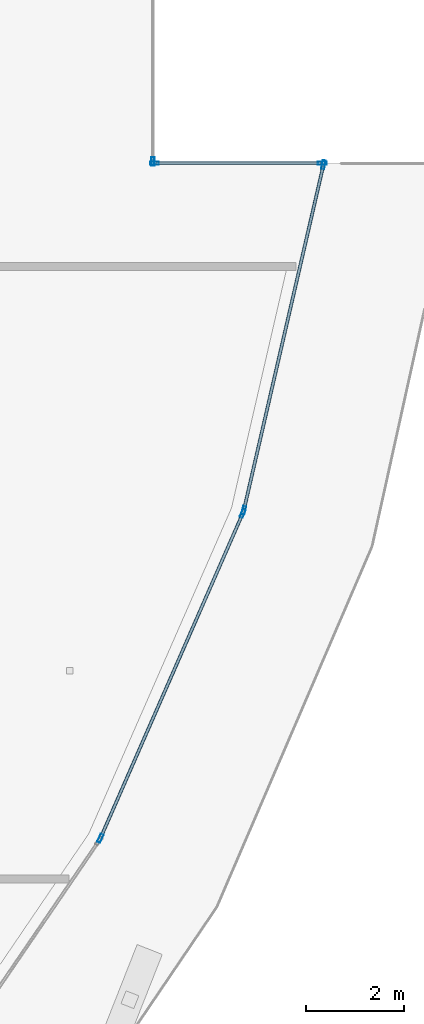
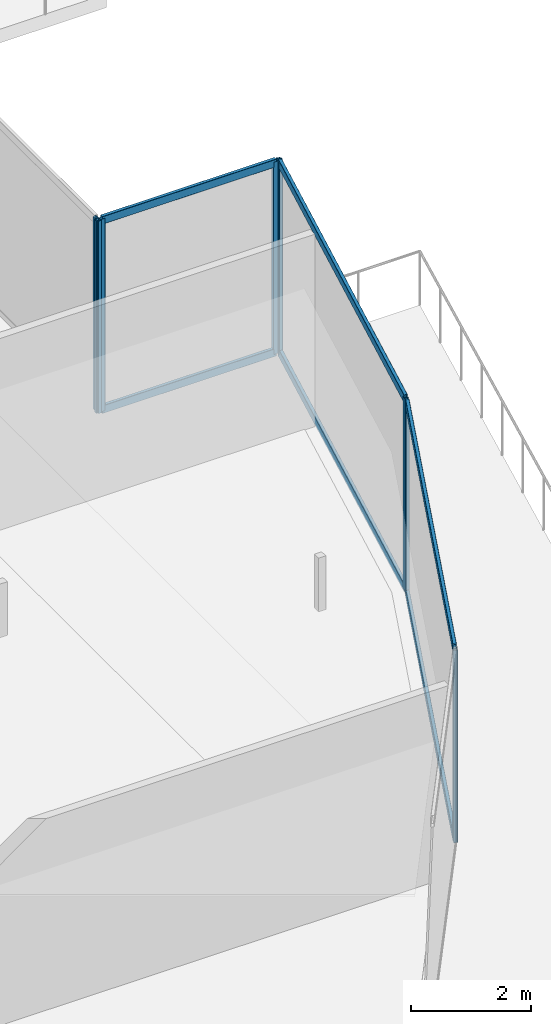
# One storey, part 24 of 45: 13 members, 4 elements without a shape of their own.
"""IFC4 building model written with IfcOpenShell, lengths in metres."""

from ifc_helpers import new_model, si_unit, direction, frame, origin, origin_2d, place, context, subcontext, project, spatial, hollow_rectangle, extrude, material, layer, layer_set, material_profile, profile_set, type_object, element, aggregate, save


model = new_model("IFC4")

# Units and contexts
model_context = context("Model", 3, precision=1e-05, world=origin(), true_north=direction((0.0, 1.0)))
body_context = subcontext(model_context, "Body", "Model", "MODEL_VIEW")
ifc_project = project(units=[si_unit("LENGTHUNIT", "METRE"), si_unit("AREAUNIT", "SQUARE_METRE"), si_unit("VOLUMEUNIT", "CUBIC_METRE"), si_unit("PLANEANGLEUNIT", "RADIAN"), si_unit("MASSUNIT", "GRAM", prefix="KILO")], contexts=[model_context])

# Site, building, storey
site_placement = place(None, origin())
site = spatial("IfcSite", under=ifc_project, at=site_placement, CompositionType="ELEMENT")
building_placement = place(site_placement, origin())
building = spatial("IfcBuilding", under=site, at=building_placement, Name="Qorvath Tower", CompositionType="ELEMENT")
storey_placement = place(building_placement, frame((0.0, 0.0, 66.0)))
storey = spatial("IfcBuildingStorey", under=building, at=storey_placement, Name="L14", CompositionType="ELEMENT", Elevation=66.0)

# Curtain wall, members
ifc_material_1 = material(Name="Anodised aluminium and triple low-E glass", Category="aluminium")
ifc_layer = layer(ifc_material_1, 0.179931640625)
ifc_layer_set = layer_set([ifc_layer], Name="CW-SYS-2")
curtain_wall_type = type_object("IfcCurtainWallType", Name="CW-SYS-2", PredefinedType="NOTDEFINED", material=ifc_layer_set)
curtain_wall_1_placement = place(storey_placement, origin())
curtain_wall_1 = element("IfcCurtainWall", 1, at=curtain_wall_1_placement, inside=storey, type_object=curtain_wall_type, Name="Curtain Wall CW-2 CW-T-L14-6.1", PredefinedType="NOTDEFINED")
ifc_material_2 = material(Name="Anodised aluminium 6063-T6", Category="aluminium")
ifc_material_profile_1 = material_profile(ifc_material_2, hollow_rectangle(XDim=0.06494140625, YDim=0.179931640625, WallThickness=0.00341796875, InnerFilletRadius=0.00341796875, OuterFilletRadius=0.007080078125, at=origin_2d()), Name="CWM 180x65")
ifc_profile_set_1 = profile_set([ifc_material_profile_1], Name="Anodised aluminium 6063-T6")
member_type_1 = type_object("IfcMemberType", Name="CWM-180", PredefinedType="MULLION", material=ifc_profile_set_1)
member_1_placement = place(storey_placement, frame((1.8857421875, -18.993896484375, 0.0), z_axis=(0.0, 0.0, 1.0), x_axis=(-0.915925737134, 0.401347784416, 0.0)))
member_1 = element("IfcMember", 2, at=member_1_placement, type_object=member_type_1, Name="CW-2 mullion 1", PredefinedType="MULLION", context=body_context, shape_type="SweptSolid", body=[
    extrude(hollow_rectangle(XDim=0.06494140625, YDim=0.179931640625, WallThickness=0.00341796875, InnerFilletRadius=0.00341796875, OuterFilletRadius=0.007080078125, at=origin_2d()), origin(), (0.0, 0.0, 1.0), 3.919921875),
])
member_2_placement = place(storey_placement, frame((4.7890625, -12.36865234375, 0.0), z_axis=(0.0, 0.0, 1.0), x_axis=(-0.915925737134, 0.401347784416, 0.0)))
member_2 = element("IfcMember", 3, at=member_2_placement, type_object=member_type_1, Name="CW-2 mullion 2", PredefinedType="MULLION", context=body_context, shape_type="SweptSolid", body=[
    extrude(hollow_rectangle(XDim=0.06494140625, YDim=0.179931640625, WallThickness=0.00341796875, InnerFilletRadius=0.00341796875, OuterFilletRadius=0.007080078125, at=origin_2d()), origin(), (0.0, 0.0, 1.0), 3.919921875),
])

curtain_wall_2_placement = place(storey_placement, origin())
curtain_wall_2 = element("IfcCurtainWall", 4, at=curtain_wall_2_placement, inside=storey, type_object=curtain_wall_type, Name="Curtain Wall CW-2 CW-T-L14-7.1", PredefinedType="NOTDEFINED")
member_3_placement = place(storey_placement, frame((4.809326171875, -12.30712890625, 0.0), z_axis=(0.0, 0.0, 1.0), x_axis=(-0.974413360078, 0.224763439425, 0.0)))
member_3 = element("IfcMember", 5, at=member_3_placement, type_object=member_type_1, Name="CW-2 mullion 1", PredefinedType="MULLION", context=body_context, shape_type="SweptSolid", body=[
    extrude(hollow_rectangle(XDim=0.06494140625, YDim=0.179931640625, WallThickness=0.00341796875, InnerFilletRadius=0.00341796875, OuterFilletRadius=0.007080078125, at=origin_2d()), origin(), (0.0, 0.0, 1.0), 3.919921875),
])
member_4_placement = place(storey_placement, frame((6.43505859375, -5.259033203125, 0.0), z_axis=(0.0, 0.0, 1.0), x_axis=(-0.974413360078, 0.224763439425, 0.0)))
member_4 = element("IfcMember", 6, at=member_4_placement, type_object=member_type_1, Name="CW-2 mullion 2", PredefinedType="MULLION", context=body_context, shape_type="SweptSolid", body=[
    extrude(hollow_rectangle(XDim=0.06494140625, YDim=0.179931640625, WallThickness=0.00341796875, InnerFilletRadius=0.00341796875, OuterFilletRadius=0.007080078125, at=origin_2d()), origin(), (0.0, 0.0, 1.0), 3.919921875),
])

curtain_wall_3_placement = place(storey_placement, origin())
curtain_wall_3 = element("IfcCurtainWall", 7, at=curtain_wall_3_placement, inside=storey, type_object=curtain_wall_type, Name="Curtain Wall CW-2 CW-T-L14-8.1", PredefinedType="NOTDEFINED")
member_5_placement = place(storey_placement, frame((6.409912109375, -5.227294921875, 0.0), z_axis=(0.0, 0.0, 1.0), x_axis=(0.0, -1.0, 0.0)))
member_5 = element("IfcMember", 8, at=member_5_placement, type_object=member_type_1, Name="CW-2 mullion 1", PredefinedType="MULLION", context=body_context, shape_type="SweptSolid", body=[
    extrude(hollow_rectangle(XDim=0.06494140625, YDim=0.179931640625, WallThickness=0.00341796875, InnerFilletRadius=0.00341796875, OuterFilletRadius=0.007080078125, at=origin_2d()), origin(), (0.0, 0.0, 1.0), 3.919921875),
])
member_6_placement = place(storey_placement, frame((2.989990234375, -5.227294921875, 0.0), z_axis=(0.0, 0.0, 1.0), x_axis=(0.0, -1.0, 0.0)))
member_6 = element("IfcMember", 9, at=member_6_placement, type_object=member_type_1, Name="CW-2 mullion 2", PredefinedType="MULLION", context=body_context, shape_type="SweptSolid", body=[
    extrude(hollow_rectangle(XDim=0.06494140625, YDim=0.179931640625, WallThickness=0.00341796875, InnerFilletRadius=0.00341796875, OuterFilletRadius=0.007080078125, at=origin_2d()), origin(), (0.0, 0.0, 1.0), 3.919921875),
])

# Curtain wall, member
curtain_wall_4_placement = place(storey_placement, origin())
curtain_wall_4 = element("IfcCurtainWall", 10, at=curtain_wall_4_placement, inside=storey, type_object=curtain_wall_type, Name="Curtain Wall CW-2 CW-T-L14-9.1", PredefinedType="NOTDEFINED")
member_7_placement = place(storey_placement, frame((2.95751953125, -5.19482421875, 0.0), z_axis=(0.0, 0.0, 1.0), x_axis=(-1.0, 0.0, 0.0)))
member_7 = element("IfcMember", 11, at=member_7_placement, type_object=member_type_1, Name="CW-2 mullion 1", PredefinedType="MULLION", context=body_context, shape_type="SweptSolid", body=[
    extrude(hollow_rectangle(XDim=0.06494140625, YDim=0.179931640625, WallThickness=0.00341796875, InnerFilletRadius=0.00341796875, OuterFilletRadius=0.007080078125, at=origin_2d()), origin(), (0.0, 0.0, 1.0), 3.919921875),
])
aggregate(curtain_wall_4, [member_7])

# Member
ifc_material_3 = material(Name="Anodised aluminium 6063-T6", Category="aluminium")
ifc_material_profile_2 = material_profile(ifc_material_3, hollow_rectangle(XDim=0.06494140625, YDim=0.159912109375, WallThickness=0.00341796875, InnerFilletRadius=0.00341796875, OuterFilletRadius=0.007080078125, at=origin_2d()), Name="CWT 160x65")
ifc_profile_set_2 = profile_set([ifc_material_profile_2], Name="Anodised aluminium 6063-T6")
member_type_2 = type_object("IfcMemberType", Name="CWT-160", PredefinedType="USERDEFINED", material=ifc_profile_set_2)
member_8_placement = place(storey_placement, frame((1.89892578125, -18.964111328125, 0.032470703125), z_axis=(0.401342260433, 0.915928157658, 0.0), x_axis=(-0.915928157658, 0.401342260433, 0.0)))
member_8 = element("IfcMember", 12, at=member_8_placement, type_object=member_type_2, Name="CW-2 transom 1.1", ObjectType="TRANSOM", PredefinedType="USERDEFINED", context=body_context, shape_type="SweptSolid", body=[
    extrude(hollow_rectangle(XDim=0.06494140625, YDim=0.159912109375, WallThickness=0.00341796875, InnerFilletRadius=0.00341796875, OuterFilletRadius=0.007080078125, at=origin_2d()), origin(), (0.0, 0.0, 1.0), 7.168212890625),
])

member_9_placement = place(storey_placement, frame((1.89892578125, -18.964111328125, 3.887451171875), z_axis=(0.401342260433, 0.915928157658, 0.0), x_axis=(-0.915928157658, 0.401342260433, 0.0)))
member_9 = element("IfcMember", 13, at=member_9_placement, type_object=member_type_2, Name="CW-2 transom 1.2", ObjectType="TRANSOM", PredefinedType="USERDEFINED", context=body_context, shape_type="SweptSolid", body=[
    extrude(hollow_rectangle(XDim=0.06494140625, YDim=0.159912109375, WallThickness=0.00341796875, InnerFilletRadius=0.00341796875, OuterFilletRadius=0.007080078125, at=origin_2d()), origin(), (0.0, 0.0, 1.0), 7.168212890625),
])

aggregate(curtain_wall_1, [member_1, member_2, member_8, member_9])

member_10_placement = place(storey_placement, frame((4.816650390625, -12.275634765625, 0.032470703125), z_axis=(0.224745087436, 0.974417593064, 0.0), x_axis=(-0.974417593064, 0.224745087436, 0.0)))
member_10 = element("IfcMember", 14, at=member_10_placement, type_object=member_type_2, Name="CW-2 transom 1.1", ObjectType="TRANSOM", PredefinedType="USERDEFINED", context=body_context, shape_type="SweptSolid", body=[
    extrude(hollow_rectangle(XDim=0.06494140625, YDim=0.159912109375, WallThickness=0.00341796875, InnerFilletRadius=0.00341796875, OuterFilletRadius=0.007080078125, at=origin_2d()), origin(), (0.0, 0.0, 1.0), 7.16845703125),
])

member_11_placement = place(storey_placement, frame((4.816650390625, -12.275634765625, 3.887451171875), z_axis=(0.224745087436, 0.974417593064, 0.0), x_axis=(-0.974417593064, 0.224745087436, 0.0)))
member_11 = element("IfcMember", 15, at=member_11_placement, type_object=member_type_2, Name="CW-2 transom 1.2", ObjectType="TRANSOM", PredefinedType="USERDEFINED", context=body_context, shape_type="SweptSolid", body=[
    extrude(hollow_rectangle(XDim=0.06494140625, YDim=0.159912109375, WallThickness=0.00341796875, InnerFilletRadius=0.00341796875, OuterFilletRadius=0.007080078125, at=origin_2d()), origin(), (0.0, 0.0, 1.0), 7.16845703125),
])

aggregate(curtain_wall_2, [member_3, member_4, member_10, member_11])

member_12_placement = place(storey_placement, frame((6.37744140625, -5.227294921875, 0.032470703125), z_axis=(-1.0, 0.0, 0.0), x_axis=(0.0, -1.0, 0.0)))
member_12 = element("IfcMember", 16, at=member_12_placement, type_object=member_type_2, Name="CW-2 transom 1.1", ObjectType="TRANSOM", PredefinedType="USERDEFINED", context=body_context, shape_type="SweptSolid", body=[
    extrude(hollow_rectangle(XDim=0.06494140625, YDim=0.159912109375, WallThickness=0.00341796875, InnerFilletRadius=0.00341796875, OuterFilletRadius=0.007080078125, at=origin_2d()), origin(), (0.0, 0.0, 1.0), 3.35498046875),
])

member_13_placement = place(storey_placement, frame((6.37744140625, -5.227294921875, 3.887451171875), z_axis=(-1.0, 0.0, 0.0), x_axis=(0.0, -1.0, 0.0)))
member_13 = element("IfcMember", 17, at=member_13_placement, type_object=member_type_2, Name="CW-2 transom 1.2", ObjectType="TRANSOM", PredefinedType="USERDEFINED", context=body_context, shape_type="SweptSolid", body=[
    extrude(hollow_rectangle(XDim=0.06494140625, YDim=0.159912109375, WallThickness=0.00341796875, InnerFilletRadius=0.00341796875, OuterFilletRadius=0.007080078125, at=origin_2d()), origin(), (0.0, 0.0, 1.0), 3.35498046875),
])

aggregate(curtain_wall_3, [member_5, member_6, member_12, member_13])

save(model, "model.ifc")
